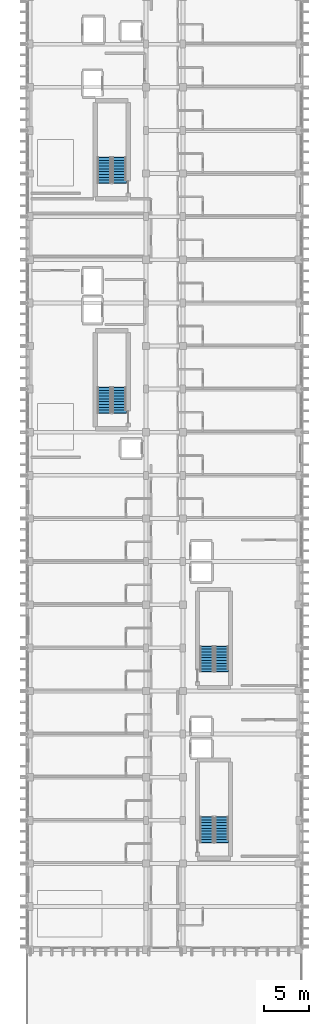
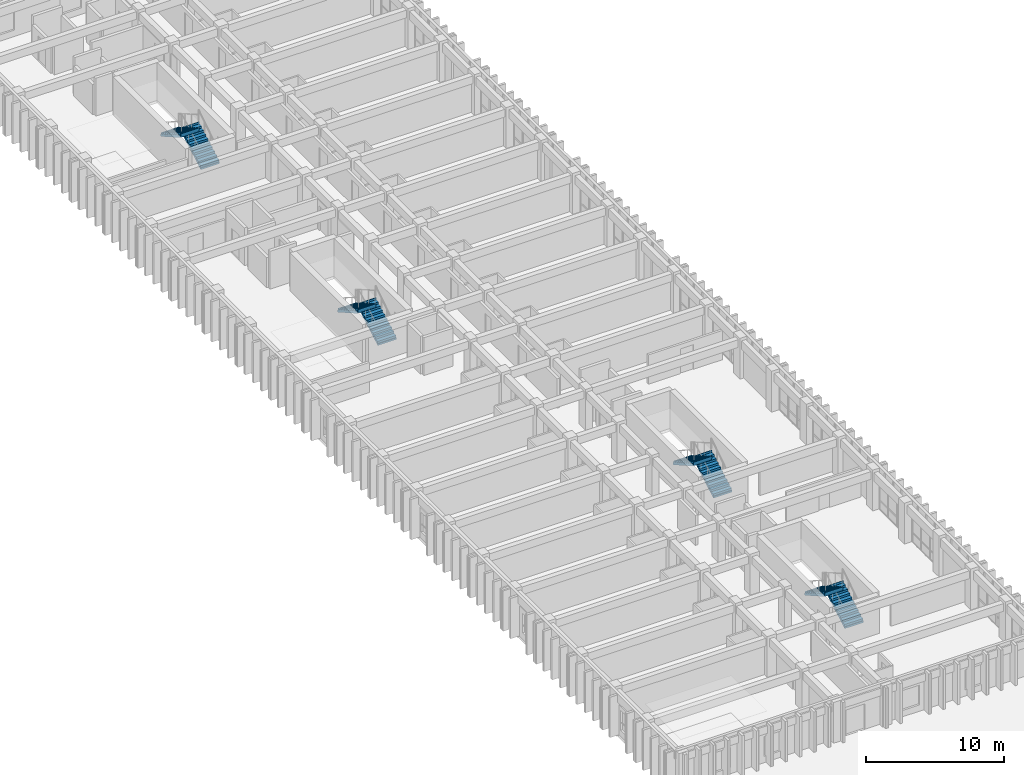
# One storey, part 69 of 82: 8 stair flights, 4 elements without a shape of their own.
"""IFC4 building model written with IfcOpenShell, lengths in metres."""

from ifc_helpers import new_model, si_unit, direction, frame, origin, place, context, subcontext, project, spatial, polyline, outline, extrude, material, layer, layer_set, type_object, element, aggregate, save


model = new_model("IFC4")

# Units and contexts
model_context = context("Model", 3, precision=1e-05, world=origin(), true_north=direction((0.0, 1.0)))
body_context = subcontext(model_context, "Body", "Model", "MODEL_VIEW")
ifc_project = project(units=[si_unit("LENGTHUNIT", "METRE"), si_unit("AREAUNIT", "SQUARE_METRE"), si_unit("VOLUMEUNIT", "CUBIC_METRE"), si_unit("PLANEANGLEUNIT", "RADIAN"), si_unit("MASSUNIT", "GRAM", prefix="KILO")], contexts=[model_context])

# Site, building, storey
site_placement = place(None, origin())
site = spatial("IfcSite", under=ifc_project, at=site_placement, CompositionType="ELEMENT")
building_placement = place(site_placement, origin())
building = spatial("IfcBuilding", under=site, at=building_placement, Name="Nakhvara Creek Congress Hotel", CompositionType="ELEMENT")
storey_placement = place(building_placement, frame((0.0, 0.0, 21.0)))
storey = spatial("IfcBuildingStorey", under=building, at=storey_placement, Name="L04", CompositionType="ELEMENT", Elevation=21.0)

# Stair, stair flights
ifc_material = material(Name="Concrete C40/50", Category="concrete")
stair_type = type_object("IfcStairType", Name="ST-CORE-160", PredefinedType="HALF_TURN_STAIR", material=ifc_material)
stair_1_placement = place(storey_placement, origin())
stair_1 = element("IfcStair", 1, at=stair_1_placement, inside=storey, type_object=stair_type, Name="L04 Protected Exit Stair ST01", PredefinedType="HALF_TURN_STAIR")
ifc_layer = layer(ifc_material, 0.18994140625)
ifc_layer_set = layer_set([ifc_layer], Name="Concrete C40/50")
stair_flight_type = type_object("IfcStairFlightType", Name="SFL-RC-160", PredefinedType="STRAIGHT", material=ifc_layer_set)
stair_flight_1_placement = place(storey_placement, frame((159.3798828125, 78.93994140625, 0.0), z_axis=(0.0, 0.0, 1.0), x_axis=(0.0, 1.0, 0.0)))
stair_flight_1 = element("IfcStairFlight", 2, at=stair_flight_1_placement, type_object=stair_flight_type, Name="ST01 flight 1", NumberOfRisers=10, NumberOfTreads=9, PredefinedType="STRAIGHT", RiserHeight=0.18, TreadLength=0.315, context=body_context, shape_type="SweptSolid", body=[
    extrude(outline(polyline([(-0.048095703125, 0.0), (0.0, 0.0), (0.0, 0.179931640625), (0.31494140625, 0.179931640625), (0.31494140625, 0.360107421875), (0.6298828125, 0.360107421875), (0.6298828125, 0.5400390625), (0.945068359375, 0.5400390625), (0.945068359375, 0.719970703125), (1.260009765625, 0.719970703125), (1.260009765625, 0.89990234375), (1.574951171875, 0.89990234375), (1.574951171875, 1.080078125), (1.889892578125, 1.080078125), (1.889892578125, 1.260009765625), (2.205078125, 1.260009765625), (2.205078125, 1.43994140625), (2.52001953125, 1.43994140625), (2.52001953125, 1.6201171875), (2.8349609375, 1.6201171875), (2.8349609375, 1.800048828125), (2.883056640625, 1.800048828125), (2.883056640625, 1.650146484375), (2.8349609375, 1.447265625), (0.039794921875, -0.14990234375), (-0.048095703125, -0.14990234375), (-0.048095703125, 0.0)])), frame((0.0, 0.77001953125, 0.0), z_axis=(0.0, -1.0, 0.0), x_axis=(1.0, 0.0, 0.0)), (0.0, 0.0, 1.0), 1.5400390625),
])
stair_flight_2_placement = place(storey_placement, frame((157.68994140625, 81.77490234375, 1.800048828125), z_axis=(0.0, 0.0, 1.0), x_axis=(0.0, -1.0, 0.0)))
stair_flight_2 = element("IfcStairFlight", 3, at=stair_flight_2_placement, type_object=stair_flight_type, Name="ST01 flight 2", NumberOfRisers=10, NumberOfTreads=9, PredefinedType="STRAIGHT", RiserHeight=0.18, TreadLength=0.315, context=body_context, shape_type="SweptSolid", body=[
    extrude(outline(polyline([(-0.048095703125, 0.0), (0.0, 0.0), (0.0, 0.179931640625), (0.31494140625, 0.179931640625), (0.31494140625, 0.360107421875), (0.6298828125, 0.360107421875), (0.6298828125, 0.5400390625), (0.945068359375, 0.5400390625), (0.945068359375, 0.719970703125), (1.260009765625, 0.719970703125), (1.260009765625, 0.89990234375), (1.574951171875, 0.89990234375), (1.574951171875, 1.080078125), (1.889892578125, 1.080078125), (1.889892578125, 1.260009765625), (2.205078125, 1.260009765625), (2.205078125, 1.43994140625), (2.52001953125, 1.43994140625), (2.52001953125, 1.6201171875), (2.8349609375, 1.6201171875), (2.8349609375, 1.800048828125), (2.883056640625, 1.800048828125), (2.883056640625, 1.650146484375), (2.8349609375, 1.447265625), (0.039794921875, -0.14990234375), (-0.048095703125, -0.14990234375), (-0.048095703125, 0.0)])), frame((0.0, 0.77001953125, 0.0), z_axis=(0.0, -1.0, 0.0), x_axis=(1.0, 0.0, 0.0)), (0.0, 0.0, 1.0), 1.5400390625),
])
aggregate(stair_1, [stair_flight_1, stair_flight_2])

stair_2_placement = place(storey_placement, origin())
stair_2 = element("IfcStair", 4, at=stair_2_placement, inside=storey, type_object=stair_type, Name="L04 Protected Exit Stair ST02", PredefinedType="HALF_TURN_STAIR")
stair_flight_3_placement = place(storey_placement, frame((159.3798828125, 104.5400390625, 0.0), z_axis=(0.0, 0.0, 1.0), x_axis=(0.0, 1.0, 0.0)))
stair_flight_3 = element("IfcStairFlight", 5, at=stair_flight_3_placement, type_object=stair_flight_type, Name="ST02 flight 1", NumberOfRisers=10, NumberOfTreads=9, PredefinedType="STRAIGHT", RiserHeight=0.18, TreadLength=0.315, context=body_context, shape_type="SweptSolid", body=[
    extrude(outline(polyline([(-0.048095703125, 0.0), (0.0, 0.0), (0.0, 0.179931640625), (0.31494140625, 0.179931640625), (0.31494140625, 0.360107421875), (0.6298828125, 0.360107421875), (0.6298828125, 0.5400390625), (0.945068359375, 0.5400390625), (0.945068359375, 0.719970703125), (1.260009765625, 0.719970703125), (1.260009765625, 0.89990234375), (1.574951171875, 0.89990234375), (1.574951171875, 1.080078125), (1.889892578125, 1.080078125), (1.889892578125, 1.260009765625), (2.205078125, 1.260009765625), (2.205078125, 1.43994140625), (2.52001953125, 1.43994140625), (2.52001953125, 1.6201171875), (2.8349609375, 1.6201171875), (2.8349609375, 1.800048828125), (2.883056640625, 1.800048828125), (2.883056640625, 1.650146484375), (2.8349609375, 1.447265625), (0.039794921875, -0.14990234375), (-0.048095703125, -0.14990234375), (-0.048095703125, 0.0)])), frame((0.0, 0.77001953125, 0.0), z_axis=(0.0, -1.0, 0.0), x_axis=(1.0, 0.0, 0.0)), (0.0, 0.0, 1.0), 1.5400390625),
])
stair_flight_4_placement = place(storey_placement, frame((157.68994140625, 107.375, 1.800048828125), z_axis=(0.0, 0.0, 1.0), x_axis=(0.0, -1.0, 0.0)))
stair_flight_4 = element("IfcStairFlight", 6, at=stair_flight_4_placement, type_object=stair_flight_type, Name="ST02 flight 2", NumberOfRisers=10, NumberOfTreads=9, PredefinedType="STRAIGHT", RiserHeight=0.18, TreadLength=0.315, context=body_context, shape_type="SweptSolid", body=[
    extrude(outline(polyline([(-0.048095703125, 0.0), (0.0, 0.0), (0.0, 0.179931640625), (0.31494140625, 0.179931640625), (0.31494140625, 0.360107421875), (0.6298828125, 0.360107421875), (0.6298828125, 0.5400390625), (0.945068359375, 0.5400390625), (0.945068359375, 0.719970703125), (1.260009765625, 0.719970703125), (1.260009765625, 0.89990234375), (1.574951171875, 0.89990234375), (1.574951171875, 1.080078125), (1.889892578125, 1.080078125), (1.889892578125, 1.260009765625), (2.205078125, 1.260009765625), (2.205078125, 1.43994140625), (2.52001953125, 1.43994140625), (2.52001953125, 1.6201171875), (2.8349609375, 1.6201171875), (2.8349609375, 1.800048828125), (2.883056640625, 1.800048828125), (2.883056640625, 1.650146484375), (2.8349609375, 1.447265625), (0.039794921875, -0.14990234375), (-0.048095703125, -0.14990234375), (-0.048095703125, 0.0)])), frame((0.0, 0.77001953125, 0.0), z_axis=(0.0, -1.0, 0.0), x_axis=(1.0, 0.0, 0.0)), (0.0, 0.0, 1.0), 1.5400390625),
])
aggregate(stair_2, [stair_flight_3, stair_flight_4])

stair_3_placement = place(storey_placement, origin())
stair_3 = element("IfcStair", 7, at=stair_3_placement, inside=storey, type_object=stair_type, Name="L04 Protected Exit Stair ST03", PredefinedType="HALF_TURN_STAIR")
stair_flight_5_placement = place(storey_placement, frame((170.780029296875, 31.139892578125, 0.0), z_axis=(0.0, 0.0, 1.0), x_axis=(0.0, 1.0, 0.0)))
stair_flight_5 = element("IfcStairFlight", 8, at=stair_flight_5_placement, type_object=stair_flight_type, Name="ST03 flight 1", NumberOfRisers=10, NumberOfTreads=9, PredefinedType="STRAIGHT", RiserHeight=0.18, TreadLength=0.315, context=body_context, shape_type="SweptSolid", body=[
    extrude(outline(polyline([(-0.048095703125, 0.0), (0.0, 0.0), (0.0, 0.179931640625), (0.31494140625, 0.179931640625), (0.31494140625, 0.360107421875), (0.6298828125, 0.360107421875), (0.6298828125, 0.5400390625), (0.945068359375, 0.5400390625), (0.945068359375, 0.719970703125), (1.260009765625, 0.719970703125), (1.260009765625, 0.89990234375), (1.574951171875, 0.89990234375), (1.574951171875, 1.080078125), (1.889892578125, 1.080078125), (1.889892578125, 1.260009765625), (2.205078125, 1.260009765625), (2.205078125, 1.43994140625), (2.52001953125, 1.43994140625), (2.52001953125, 1.6201171875), (2.8349609375, 1.6201171875), (2.8349609375, 1.800048828125), (2.883056640625, 1.800048828125), (2.883056640625, 1.650146484375), (2.8349609375, 1.447265625), (0.039794921875, -0.14990234375), (-0.048095703125, -0.14990234375), (-0.048095703125, 0.0)])), frame((0.0, 0.77001953125, 0.0), z_axis=(0.0, -1.0, 0.0), x_axis=(1.0, 0.0, 0.0)), (0.0, 0.0, 1.0), 1.5400390625),
])
stair_flight_6_placement = place(storey_placement, frame((169.090087890625, 33.97509765625, 1.800048828125), z_axis=(0.0, 0.0, 1.0), x_axis=(0.0, -1.0, 0.0)))
stair_flight_6 = element("IfcStairFlight", 9, at=stair_flight_6_placement, type_object=stair_flight_type, Name="ST03 flight 2", NumberOfRisers=10, NumberOfTreads=9, PredefinedType="STRAIGHT", RiserHeight=0.18, TreadLength=0.315, context=body_context, shape_type="SweptSolid", body=[
    extrude(outline(polyline([(-0.048095703125, 0.0), (0.0, 0.0), (0.0, 0.179931640625), (0.31494140625, 0.179931640625), (0.31494140625, 0.360107421875), (0.6298828125, 0.360107421875), (0.6298828125, 0.5400390625), (0.945068359375, 0.5400390625), (0.945068359375, 0.719970703125), (1.260009765625, 0.719970703125), (1.260009765625, 0.89990234375), (1.574951171875, 0.89990234375), (1.574951171875, 1.080078125), (1.889892578125, 1.080078125), (1.889892578125, 1.260009765625), (2.205078125, 1.260009765625), (2.205078125, 1.43994140625), (2.52001953125, 1.43994140625), (2.52001953125, 1.6201171875), (2.8349609375, 1.6201171875), (2.8349609375, 1.800048828125), (2.883056640625, 1.800048828125), (2.883056640625, 1.650146484375), (2.8349609375, 1.447265625), (0.039794921875, -0.14990234375), (-0.048095703125, -0.14990234375), (-0.048095703125, 0.0)])), frame((0.0, 0.77001953125, 0.0), z_axis=(0.0, -1.0, 0.0), x_axis=(1.0, 0.0, 0.0)), (0.0, 0.0, 1.0), 1.5400390625),
])
aggregate(stair_3, [stair_flight_5, stair_flight_6])

stair_4_placement = place(storey_placement, origin())
stair_4 = element("IfcStair", 10, at=stair_4_placement, inside=storey, type_object=stair_type, Name="L04 Protected Exit Stair ST04", PredefinedType="HALF_TURN_STAIR")
stair_flight_7_placement = place(storey_placement, frame((170.780029296875, 50.139892578125, 0.0), z_axis=(0.0, 0.0, 1.0), x_axis=(0.0, 1.0, 0.0)))
stair_flight_7 = element("IfcStairFlight", 11, at=stair_flight_7_placement, type_object=stair_flight_type, Name="ST04 flight 1", NumberOfRisers=10, NumberOfTreads=9, PredefinedType="STRAIGHT", RiserHeight=0.18, TreadLength=0.315, context=body_context, shape_type="SweptSolid", body=[
    extrude(outline(polyline([(-0.048095703125, 0.0), (0.0, 0.0), (0.0, 0.179931640625), (0.31494140625, 0.179931640625), (0.31494140625, 0.360107421875), (0.6298828125, 0.360107421875), (0.6298828125, 0.5400390625), (0.945068359375, 0.5400390625), (0.945068359375, 0.719970703125), (1.260009765625, 0.719970703125), (1.260009765625, 0.89990234375), (1.574951171875, 0.89990234375), (1.574951171875, 1.080078125), (1.889892578125, 1.080078125), (1.889892578125, 1.260009765625), (2.205078125, 1.260009765625), (2.205078125, 1.43994140625), (2.52001953125, 1.43994140625), (2.52001953125, 1.6201171875), (2.8349609375, 1.6201171875), (2.8349609375, 1.800048828125), (2.883056640625, 1.800048828125), (2.883056640625, 1.650146484375), (2.8349609375, 1.447265625), (0.039794921875, -0.14990234375), (-0.048095703125, -0.14990234375), (-0.048095703125, 0.0)])), frame((0.0, 0.77001953125, 0.0), z_axis=(0.0, -1.0, 0.0), x_axis=(1.0, 0.0, 0.0)), (0.0, 0.0, 1.0), 1.5400390625),
])
stair_flight_8_placement = place(storey_placement, frame((169.090087890625, 52.97509765625, 1.800048828125), z_axis=(0.0, 0.0, 1.0), x_axis=(0.0, -1.0, 0.0)))
stair_flight_8 = element("IfcStairFlight", 12, at=stair_flight_8_placement, type_object=stair_flight_type, Name="ST04 flight 2", NumberOfRisers=10, NumberOfTreads=9, PredefinedType="STRAIGHT", RiserHeight=0.18, TreadLength=0.315, context=body_context, shape_type="SweptSolid", body=[
    extrude(outline(polyline([(-0.048095703125, 0.0), (0.0, 0.0), (0.0, 0.179931640625), (0.31494140625, 0.179931640625), (0.31494140625, 0.360107421875), (0.6298828125, 0.360107421875), (0.6298828125, 0.5400390625), (0.945068359375, 0.5400390625), (0.945068359375, 0.719970703125), (1.260009765625, 0.719970703125), (1.260009765625, 0.89990234375), (1.574951171875, 0.89990234375), (1.574951171875, 1.080078125), (1.889892578125, 1.080078125), (1.889892578125, 1.260009765625), (2.205078125, 1.260009765625), (2.205078125, 1.43994140625), (2.52001953125, 1.43994140625), (2.52001953125, 1.6201171875), (2.8349609375, 1.6201171875), (2.8349609375, 1.800048828125), (2.883056640625, 1.800048828125), (2.883056640625, 1.650146484375), (2.8349609375, 1.447265625), (0.039794921875, -0.14990234375), (-0.048095703125, -0.14990234375), (-0.048095703125, 0.0)])), frame((0.0, 0.77001953125, 0.0), z_axis=(0.0, -1.0, 0.0), x_axis=(1.0, 0.0, 0.0)), (0.0, 0.0, 1.0), 1.5400390625),
])
aggregate(stair_4, [stair_flight_7, stair_flight_8])

save(model, "model.ifc")
